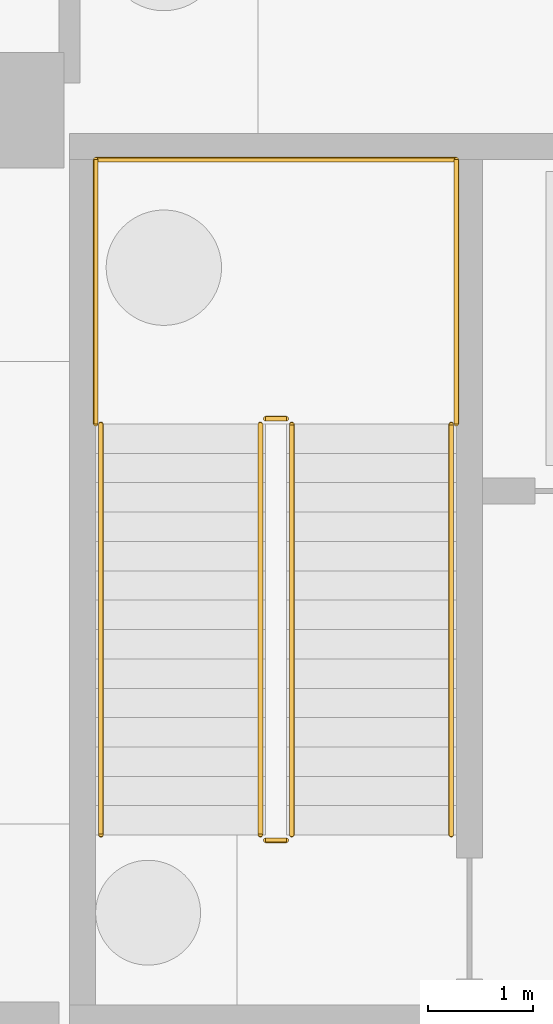
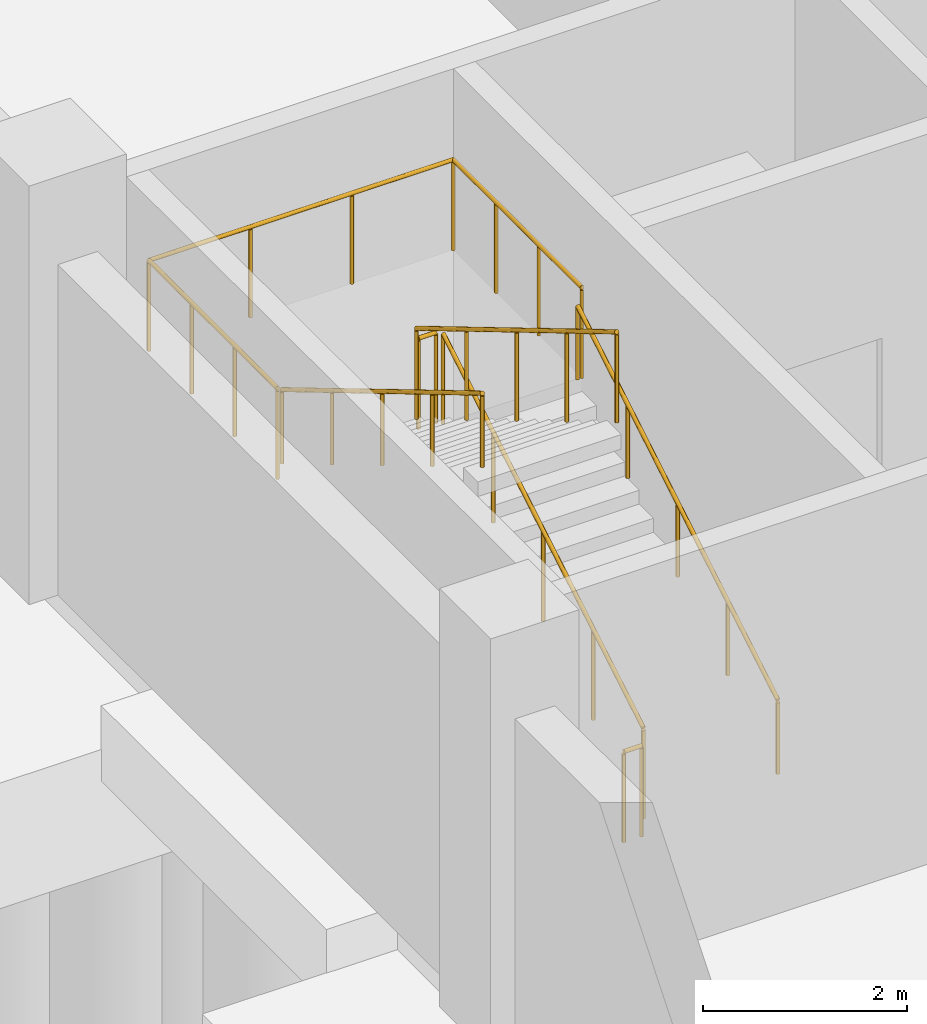
# One storey, part 24 of 37: 9 railings.
"""IFC4 building model written with IfcOpenShell, lengths in metres."""

from ifc_helpers import new_model, si_unit, direction, frame, origin, origin_2d, place, context, subcontext, project, spatial, circle, extrude, material, type_object, element, save


model = new_model("IFC4")

# Units and contexts
model_context = context("Model", 3, precision=1e-05, world=origin(), true_north=direction((0.0, 1.0)))
body_context = subcontext(model_context, "Body", "Model", "MODEL_VIEW")
ifc_project = project(units=[si_unit("LENGTHUNIT", "METRE"), si_unit("AREAUNIT", "SQUARE_METRE"), si_unit("VOLUMEUNIT", "CUBIC_METRE"), si_unit("PLANEANGLEUNIT", "RADIAN"), si_unit("MASSUNIT", "GRAM", prefix="KILO")], contexts=[model_context])

# Site, building, storey
site_placement = place(None, origin())
site = spatial("IfcSite", under=ifc_project, at=site_placement, CompositionType="ELEMENT")
building_placement = place(site_placement, origin())
building = spatial("IfcBuilding", under=site, at=building_placement, Name="Barlavento Convention Centre", CompositionType="ELEMENT")
storey_placement = place(building_placement, frame((0.0, 0.0, -5.0)))
storey = spatial("IfcBuildingStorey", under=building, at=storey_placement, Name="B1", CompositionType="ELEMENT", Elevation=-5.0)

# Railings
ifc_material_1 = material(Name="Stainless steel and laminated glass balustrade", Category="steel")
railing_type_1 = type_object("IfcRailingType", Name="ARC-RAL-BAL-1100", PredefinedType="BALUSTRADE", material=ifc_material_1)
railing_1_placement = place(storey_placement, frame((2.719970703125, 20.090087890625, 0.166748046875)))
element("IfcRailing", 1, at=railing_1_placement, inside=storey, type_object=railing_type_1, Name="B1 ST01 stair guard 1", PredefinedType="BALUSTRADE", context=body_context, shape_type="SweptSolid", body=[
    extrude(circle(Radius=0.02392578125, at=origin_2d()), frame((0.0, 0.0, 1.076171875), z_axis=(0.0, 0.859296244711, 0.511478214419), x_axis=(-1.0, 0.0, 0.0)), (0.0, 0.0, 1.0), 4.561767578125),
    extrude(circle(Radius=0.02099609375, at=origin_2d()), origin(), (0.0, 0.0, 1.0), 1.052001953125),
    extrude(circle(Radius=0.02099609375, at=origin_2d()), frame((0.0, 0.97998046875, 0.583251953125)), (0.0, 0.0, 1.0), 1.052001953125),
    extrude(circle(Radius=0.02099609375, at=origin_2d()), frame((0.0, 1.9599609375, 1.16650390625)), (0.0, 0.0, 1.0), 1.052001953125),
    extrude(circle(Radius=0.02099609375, at=origin_2d()), frame((0.0, 2.93994140625, 1.75)), (0.0, 0.0, 1.0), 1.052001953125),
    extrude(circle(Radius=0.02099609375, at=origin_2d()), frame((0.0, 3.919921875, 2.333251953125)), (0.0, 0.0, 1.0), 1.052001953125),
])
railing_2_placement = place(storey_placement, frame((2.669921875, 24.06005859375, 2.5)))
element("IfcRailing", 2, at=railing_2_placement, inside=storey, type_object=railing_type_1, Name="B1 ST01 stair guard 2", PredefinedType="BALUSTRADE", context=body_context, shape_type="SweptSolid", body=[
    extrude(circle(Radius=0.02392578125, at=origin_2d()), frame((0.0, 0.0, 1.076171875), z_axis=(-1.0, 0.0, 0.0), x_axis=(0.0, -1.0, 0.0)), (0.0, 0.0, 1.0), 0.199951171875),
    extrude(circle(Radius=0.02099609375, at=origin_2d()), origin(), (0.0, 0.0, 1.0), 1.052001953125),
    extrude(circle(Radius=0.02099609375, at=origin_2d()), frame((-0.199951171875, 0.0, 0.0)), (0.0, 0.0, 1.0), 1.052001953125),
])
railing_3_placement = place(storey_placement, frame((2.419921875, 24.010009765625, 2.666748046875)))
element("IfcRailing", 3, at=railing_3_placement, inside=storey, type_object=railing_type_1, Name="B1 ST01 stair guard 3", PredefinedType="BALUSTRADE", context=body_context, shape_type="SweptSolid", body=[
    extrude(circle(Radius=0.02392578125, at=origin_2d()), frame((0.0, 0.0, 1.076171875), z_axis=(0.0, -0.859296244711, 0.511478214419), x_axis=(1.0, 0.0, 0.0)), (0.0, 0.0, 1.0), 4.561767578125),
    extrude(circle(Radius=0.02099609375, at=origin_2d()), origin(), (0.0, 0.0, 1.0), 1.052001953125),
    extrude(circle(Radius=0.02099609375, at=origin_2d()), frame((0.0, -0.97998046875, 0.583251953125)), (0.0, 0.0, 1.0), 1.052001953125),
    extrude(circle(Radius=0.02099609375, at=origin_2d()), frame((0.0, -1.9599609375, 1.16650390625)), (0.0, 0.0, 1.0), 1.052001953125),
    extrude(circle(Radius=0.02099609375, at=origin_2d()), frame((0.0, -2.93994140625, 1.75)), (0.0, 0.0, 1.0), 1.052001953125),
    extrude(circle(Radius=0.02099609375, at=origin_2d()), frame((0.0, -3.919921875, 2.333251953125)), (0.0, 0.0, 1.0), 1.052001953125),
])
railing_4_placement = place(storey_placement, frame((2.669921875, 20.0400390625, 0.0)))
element("IfcRailing", 4, at=railing_4_placement, inside=storey, type_object=railing_type_1, Name="B1 ST01 stair guard 4", PredefinedType="BALUSTRADE", context=body_context, shape_type="SweptSolid", body=[
    extrude(circle(Radius=0.02392578125, at=origin_2d()), frame((0.0, 0.0, 1.076171875), z_axis=(-1.0, 0.0, 0.0), x_axis=(0.0, -1.0, 0.0)), (0.0, 0.0, 1.0), 0.199951171875),
    extrude(circle(Radius=0.02099609375, at=origin_2d()), origin(), (0.0, 0.0, 1.0), 1.052001953125),
    extrude(circle(Radius=0.02099609375, at=origin_2d()), frame((-0.199951171875, 0.0, 0.0)), (0.0, 0.0, 1.0), 1.052001953125),
])
for number, where, name in (
    (5, (4.2900390625, 24.010009765625, 2.5), "B1 landing guard GR01"),
    (6, (0.85009765625, 24.010009765625, 2.5), "B1 landing guard GR01"),
):
    element("IfcRailing", number, at=place(storey_placement, frame(where)), inside=storey, type_object=railing_type_1, Name=name, PredefinedType="BALUSTRADE", context=body_context, shape_type="SweptSolid", body=[
        extrude(circle(Radius=0.02392578125, at=origin_2d()), frame((0.0, 0.0, 1.076171875), z_axis=(0.0, 1.0, 0.0), x_axis=(-1.0, 0.0, 0.0)), (0.0, 0.0, 1.0), 2.52001953125),
        extrude(circle(Radius=0.02099609375, at=origin_2d()), origin(), (0.0, 0.0, 1.0), 1.052001953125),
        extrude(circle(Radius=0.02099609375, at=origin_2d()), frame((0.0, 0.840087890625, 0.0)), (0.0, 0.0, 1.0), 1.052001953125),
        extrude(circle(Radius=0.02099609375, at=origin_2d()), frame((0.0, 1.679931640625, 0.0)), (0.0, 0.0, 1.0), 1.052001953125),
        extrude(circle(Radius=0.02099609375, at=origin_2d()), frame((0.0, 2.52001953125, 0.0)), (0.0, 0.0, 1.0), 1.052001953125),
    ])
railing_5_placement = place(storey_placement, frame((4.2900390625, 26.530029296875, 2.5)))
element("IfcRailing", 7, at=railing_5_placement, inside=storey, type_object=railing_type_1, Name="B1 landing guard GR01", PredefinedType="BALUSTRADE", context=body_context, shape_type="SweptSolid", body=[
    extrude(circle(Radius=0.02392578125, at=origin_2d()), frame((0.0, 0.0, 1.076171875), z_axis=(-1.0, 0.0, 0.0), x_axis=(0.0, -1.0, 0.0)), (0.0, 0.0, 1.0), 3.43994140625),
    extrude(circle(Radius=0.02099609375, at=origin_2d()), origin(), (0.0, 0.0, 1.0), 1.052001953125),
    extrude(circle(Radius=0.02099609375, at=origin_2d()), frame((-1.146728515625, 0.0, 0.0)), (0.0, 0.0, 1.0), 1.052001953125),
    extrude(circle(Radius=0.02099609375, at=origin_2d()), frame((-2.293212890625, 0.0, 0.0)), (0.0, 0.0, 1.0), 1.052001953125),
    extrude(circle(Radius=0.02099609375, at=origin_2d()), frame((-3.43994140625, 0.0, 0.0)), (0.0, 0.0, 1.0), 1.052001953125),
])
ifc_material_2 = material(Name="Brushed stainless steel tubular handrail", Category="steel")
railing_type_2 = type_object("IfcRailingType", Name="ARC-RAL-HR-900", PredefinedType="HANDRAIL", material=ifc_material_2)
railing_6_placement = place(storey_placement, frame((4.239990234375, 20.090087890625, 0.166748046875)))
element("IfcRailing", 8, at=railing_6_placement, inside=storey, type_object=railing_type_2, Name="B1 ST01 stair handrail 1", PredefinedType="HANDRAIL", context=body_context, shape_type="SweptSolid", body=[
    extrude(circle(Radius=0.02392578125, at=origin_2d()), frame((0.0, 0.0, 0.8759765625), z_axis=(0.0, 0.859296244711, 0.511478214419), x_axis=(-1.0, 0.0, 0.0)), (0.0, 0.0, 1.0), 4.561767578125),
    extrude(circle(Radius=0.02099609375, at=origin_2d()), origin(), (0.0, 0.0, 1.0), 0.851806640625),
    extrude(circle(Radius=0.02099609375, at=origin_2d()), frame((0.0, 0.97998046875, 0.583251953125)), (0.0, 0.0, 1.0), 0.851806640625),
    extrude(circle(Radius=0.02099609375, at=origin_2d()), frame((0.0, 1.9599609375, 1.16650390625)), (0.0, 0.0, 1.0), 0.851806640625),
    extrude(circle(Radius=0.02099609375, at=origin_2d()), frame((0.0, 2.93994140625, 1.75)), (0.0, 0.0, 1.0), 0.851806640625),
    extrude(circle(Radius=0.02099609375, at=origin_2d()), frame((0.0, 3.919921875, 2.333251953125)), (0.0, 0.0, 1.0), 0.851806640625),
])
railing_7_placement = place(storey_placement, frame((0.89990234375, 24.010009765625, 2.666748046875)))
element("IfcRailing", 9, at=railing_7_placement, inside=storey, type_object=railing_type_2, Name="B1 ST01 stair handrail 2", PredefinedType="HANDRAIL", context=body_context, shape_type="SweptSolid", body=[
    extrude(circle(Radius=0.02392578125, at=origin_2d()), frame((0.0, 0.0, 0.8759765625), z_axis=(0.0, -0.859296244711, 0.511478214419), x_axis=(1.0, 0.0, 0.0)), (0.0, 0.0, 1.0), 4.561767578125),
    extrude(circle(Radius=0.02099609375, at=origin_2d()), origin(), (0.0, 0.0, 1.0), 0.851806640625),
    extrude(circle(Radius=0.02099609375, at=origin_2d()), frame((0.0, -0.97998046875, 0.583251953125)), (0.0, 0.0, 1.0), 0.851806640625),
    extrude(circle(Radius=0.02099609375, at=origin_2d()), frame((0.0, -1.9599609375, 1.16650390625)), (0.0, 0.0, 1.0), 0.851806640625),
    extrude(circle(Radius=0.02099609375, at=origin_2d()), frame((0.0, -2.93994140625, 1.75)), (0.0, 0.0, 1.0), 0.851806640625),
    extrude(circle(Radius=0.02099609375, at=origin_2d()), frame((0.0, -3.919921875, 2.333251953125)), (0.0, 0.0, 1.0), 0.851806640625),
])

save(model, "model.ifc")
